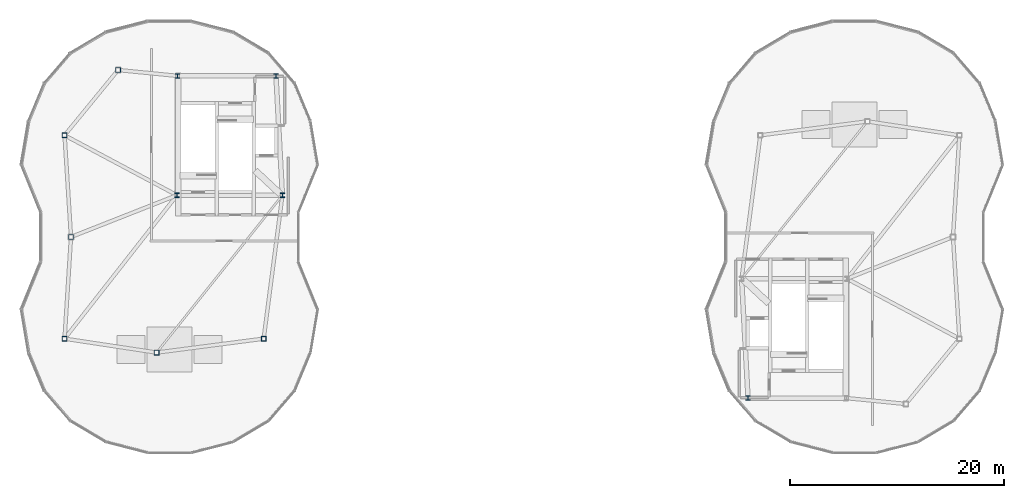
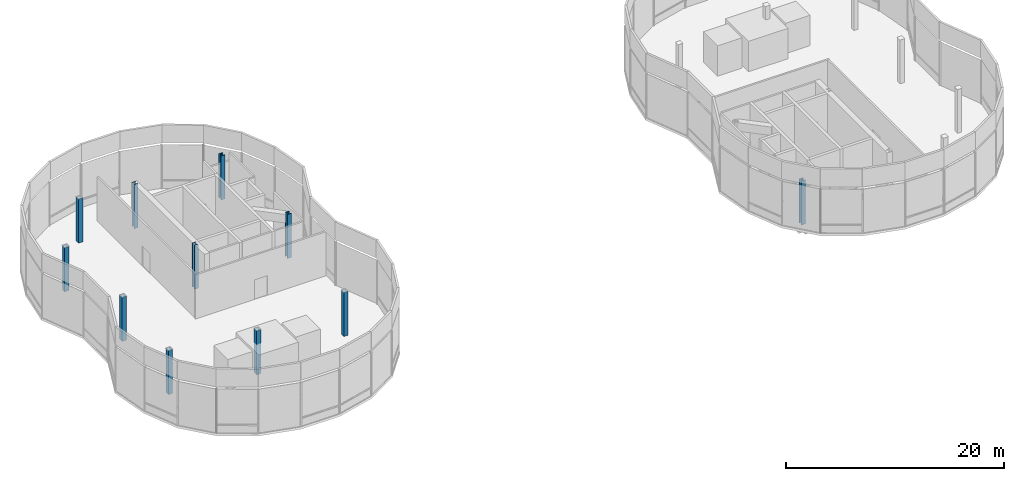
# One storey, part 1 of 14: 11 columns.
"""IFC4 building model written with IfcOpenShell, lengths in metres."""

from ifc_helpers import new_model, si_unit, direction, frame, origin, origin_2d, place, context, subcontext, project, spatial, hollow_rectangle, i_section, extrude, material, material_profile, profile_set, type_object, element, save


model = new_model("IFC4")

# Units and contexts
model_context = context("Model", 3, precision=1e-05, world=origin(), true_north=direction((0.0, 1.0)))
body_context = subcontext(model_context, "Body", "Model", "MODEL_VIEW")
ifc_project = project(units=[si_unit("LENGTHUNIT", "METRE"), si_unit("AREAUNIT", "SQUARE_METRE"), si_unit("VOLUMEUNIT", "CUBIC_METRE"), si_unit("PLANEANGLEUNIT", "RADIAN"), si_unit("MASSUNIT", "GRAM", prefix="KILO"), si_unit("THERMODYNAMICTEMPERATUREUNIT", "KELVIN"), si_unit("POWERUNIT", "WATT")], contexts=[model_context])

# Site, building, storey
site_placement = place(None, origin())
site = spatial("IfcSite", under=ifc_project, at=site_placement, CompositionType="ELEMENT")
building_placement = place(site_placement, origin())
building = spatial("IfcBuilding", under=site, at=building_placement, Name="Cundina Bronze Exchange", CompositionType="ELEMENT")
storey_placement = place(building_placement, frame((0.0, 0.0, 286.39990234375)))
storey = spatial("IfcBuildingStorey", under=building, at=storey_placement, Name="L76", CompositionType="ELEMENT", Elevation=286.39990234375)

# Columns
ifc_material_1 = material(Name="Steel ASTM A501 Grade B", Category="steel")
ifc_material_profile_1 = material_profile(ifc_material_1, hollow_rectangle(XDim=0.449951171875, YDim=0.449951171875, WallThickness=0.02490234375, at=origin_2d()), Name="HSS450X450X25", Category="steel")
ifc_profile_set_1 = profile_set([ifc_material_profile_1], Name="Steel ASTM A501 Grade B")
column_type_1 = type_object("IfcColumnType", Name="COL-STL-HSS45", PredefinedType="COLUMN", material=ifc_profile_set_1)
for number, where, z_axis, x_axis, name in (
    (1, (-41.199951171875, 0.0, 0.0), (0.0, 0.0, 1.0), (1.0, 0.0, 0.0), "L76 W Inner Ring Column 1"),
    (2, (-41.800048828125, 9.5, 0.0), (0.0, 0.0, 1.0), (1.0, 0.0, 0.0), "L76 W Inner Ring Column 2"),
    (3, (-36.800048828125, 15.60009765625, 0.0), (0.0, 0.0, 1.0), (1.0, 0.0, 0.0), "L76 W Inner Ring Column 3"),
    (4, (-41.800048828125, -9.5, 0.0), (0.0, 0.0, 1.0), (1.0, 0.0, 0.0), "L76 W Inner Ring Column 4"),
    (5, (-33.199951171875, -10.800048828125, 0.0), (0.0, 0.0, 1.0), (1.0, 0.0, 0.0), "L76 W Inner Ring Column 5"),
    (6, (-23.199951171875, -9.5, 0.0), (0.0, 0.0, 1.0), (1.0, 0.0, 0.0), "L76 W Inner Ring Column 6"),
):
    element("IfcColumn", number, at=place(storey_placement, frame(where, z_axis=z_axis, x_axis=x_axis)), inside=storey, type_object=column_type_1, Name=name, PredefinedType="COLUMN", context=body_context, shape_type="SweptSolid", body=[
        extrude(hollow_rectangle(XDim=0.449951171875, YDim=0.449951171875, WallThickness=0.02490234375, at=origin_2d()), origin(), (0.0, 0.0, 1.0), 4.93017578125),
    ])
ifc_material_2 = material(Name="Steel ASTM A992 Grade 50", Category="steel")
ifc_material_profile_2 = material_profile(ifc_material_2, i_section(OverallWidth=0.416015625, OverallDepth=0.446044921875, WebThickness=0.0390625, FlangeThickness=0.062744140625, FilletRadius=0.01806640625, at=origin_2d()), Name="W14X342", Category="steel")
ifc_profile_set_2 = profile_set([ifc_material_profile_2], Name="Steel ASTM A992 Grade 50")
column_type_2 = type_object("IfcColumnType", Name="COL-STL-W14B", PredefinedType="COLUMN", material=ifc_profile_set_2)
for number, where, z_axis, x_axis, name in (
    (7, (-31.300048828125, 3.89990234375, 0.0), (0.0, 0.0, 1.0), (1.0, 0.0, 0.0), "L76 Core Anchor Column W1"),
    (8, (-21.449951171875, 3.89990234375, 0.0), (0.0, 0.0, 1.0), (1.0, 0.0, 0.0), "L76 Core Anchor Column W2"),
    (9, (-22.050048828125, 15.050048828125, 0.0), (0.0, 0.0, 1.0), (1.0, 0.0, 0.0), "L76 Core Anchor Column W3"),
    (10, (-31.25, 15.050048828125, 0.0), (0.0, 0.0, 1.0), (1.0, 0.0, 0.0), "L76 Core Anchor Column W4"),
    (11, (22.050048828125, -15.050048828125, 0.0), (0.0, 0.0, 1.0), (1.0, 0.0, 0.0), "L76 Core Anchor Column E3"),
):
    element("IfcColumn", number, at=place(storey_placement, frame(where, z_axis=z_axis, x_axis=x_axis)), inside=storey, type_object=column_type_2, Name=name, PredefinedType="COLUMN", context=body_context, shape_type="SweptSolid", body=[
        extrude(i_section(OverallWidth=0.416015625, OverallDepth=0.446044921875, WebThickness=0.0390625, FlangeThickness=0.062744140625, FilletRadius=0.01806640625, at=origin_2d()), origin(), (0.0, 0.0, 1.0), 4.93017578125),
    ])

save(model, "model.ifc")
